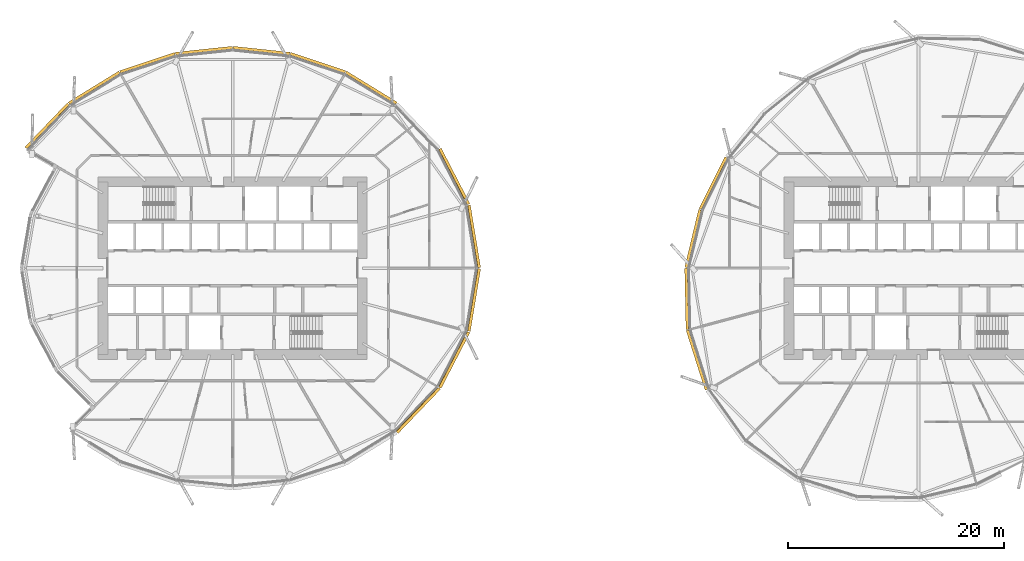
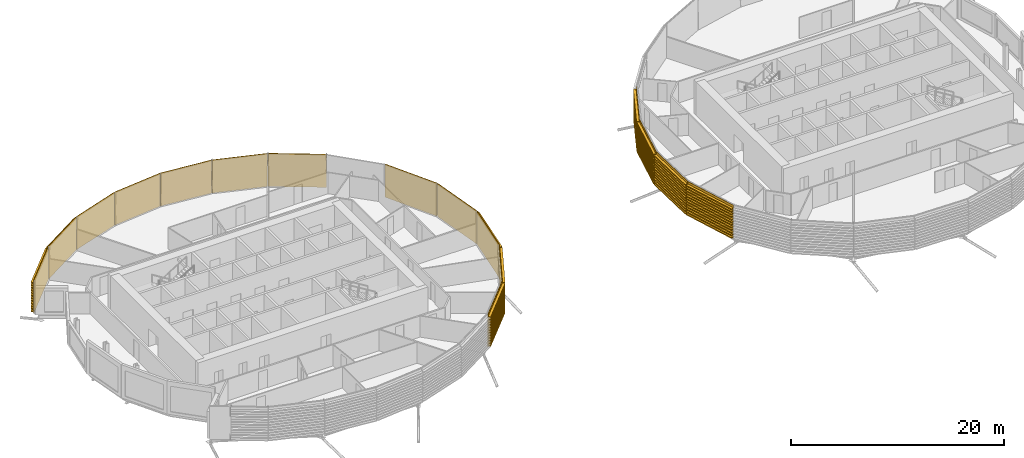
# One storey, part 35 of 38: 16 coverings.
"""IFC4 building model written with IfcOpenShell, lengths in metres."""

from ifc_helpers import new_model, si_unit, direction, frame, origin, place, context, subcontext, project, spatial, polyline, outline, extrude, material, material_profile, profile_set, type_object, element, save


model = new_model("IFC4")

# Units and contexts
model_context = context("Model", 3, precision=1e-05, world=origin(), true_north=direction((0.0, 1.0)))
body_context = subcontext(model_context, "Body", "Model", "MODEL_VIEW")
ifc_project = project(units=[si_unit("LENGTHUNIT", "METRE"), si_unit("AREAUNIT", "SQUARE_METRE"), si_unit("VOLUMEUNIT", "CUBIC_METRE"), si_unit("PLANEANGLEUNIT", "RADIAN"), si_unit("MASSUNIT", "GRAM", prefix="KILO")], contexts=[model_context])

# Site, building, storey
site_placement = place(None, origin())
site = spatial("IfcSite", under=ifc_project, at=site_placement, CompositionType="ELEMENT")
building_placement = place(site_placement, origin())
building = spatial("IfcBuilding", under=site, at=building_placement, Name="Rimbun Link Towers", CompositionType="ELEMENT")
storey_placement = place(building_placement, frame((0.0, 0.0, 49.0)))
storey = spatial("IfcBuildingStorey", under=building, at=storey_placement, Name="L11", CompositionType="ELEMENT", Elevation=49.0)

# Coverings
ifc_material = material(Name="Terracotta", Category="masonry")
ifc_material_profile = material_profile(ifc_material, outline(polyline([(0.123046875, 0.0), (0.1630859375, 0.0), (0.1630859375, 0.10009765625), (0.423095703125, 0.10009765625), (0.423095703125, 0.219970703125), (0.1630859375, 0.219970703125), (0.1630859375, 0.39990234375), (0.423095703125, 0.39990234375), (0.423095703125, 0.52001953125), (0.1630859375, 0.52001953125), (0.1630859375, 0.699951171875), (0.423095703125, 0.699951171875), (0.423095703125, 0.820068359375), (0.1630859375, 0.820068359375), (0.1630859375, 1.0), (0.423095703125, 1.0), (0.423095703125, 1.1201171875), (0.1630859375, 1.1201171875), (0.1630859375, 1.300048828125), (0.423095703125, 1.300048828125), (0.423095703125, 1.419921875), (0.1630859375, 1.419921875), (0.1630859375, 1.60009765625), (0.423095703125, 1.60009765625), (0.423095703125, 1.719970703125), (0.1630859375, 1.719970703125), (0.1630859375, 1.89990234375), (0.423095703125, 1.89990234375), (0.423095703125, 2.02001953125), (0.1630859375, 2.02001953125), (0.1630859375, 2.199951171875), (0.423095703125, 2.199951171875), (0.423095703125, 2.320068359375), (0.1630859375, 2.320068359375), (0.1630859375, 2.5), (0.423095703125, 2.5), (0.423095703125, 2.6201171875), (0.1630859375, 2.6201171875), (0.1630859375, 2.800048828125), (0.423095703125, 2.800048828125), (0.423095703125, 2.919921875), (0.1630859375, 2.919921875), (0.1630859375, 3.10009765625), (0.423095703125, 3.10009765625), (0.423095703125, 3.219970703125), (0.1630859375, 3.219970703125), (0.1630859375, 3.39990234375), (0.423095703125, 3.39990234375), (0.423095703125, 3.52001953125), (0.1630859375, 3.52001953125), (0.1630859375, 3.800048828125), (0.123046875, 3.800048828125), (0.123046875, 0.0)])), Name="BAGUETTE 120X300")
ifc_profile_set = profile_set([ifc_material_profile], Name="Terracotta")
covering_type = type_object("IfcCoveringType", Name="TERRACOTTA BAGUETTE 120X300 H3800", PredefinedType="CLADDING", material=ifc_profile_set)
covering_1_placement = place(storey_placement, frame((-10.159423828125, 5.78515625, 0.0), z_axis=(0.162237704364, -0.986751704981, 0.0), x_axis=(0.986751704981, 0.162237704364, 0.0)))
element("IfcCovering", 1, at=covering_1_placement, inside=storey, type_object=covering_type, Name="TERRACOTTA BAGUETTE", PredefinedType="CLADDING", context=body_context, shape_type="SweptSolid", body=[
    extrude(outline(polyline([(0.123046875, 0.0), (0.1630859375, 0.0), (0.1630859375, 0.10009765625), (0.423095703125, 0.10009765625), (0.423095703125, 0.219970703125), (0.1630859375, 0.219970703125), (0.1630859375, 0.39990234375), (0.423095703125, 0.39990234375), (0.423095703125, 0.52001953125), (0.1630859375, 0.52001953125), (0.1630859375, 0.699951171875), (0.423095703125, 0.699951171875), (0.423095703125, 0.820068359375), (0.1630859375, 0.820068359375), (0.1630859375, 1.0), (0.423095703125, 1.0), (0.423095703125, 1.1201171875), (0.1630859375, 1.1201171875), (0.1630859375, 1.300048828125), (0.423095703125, 1.300048828125), (0.423095703125, 1.419921875), (0.1630859375, 1.419921875), (0.1630859375, 1.60009765625), (0.423095703125, 1.60009765625), (0.423095703125, 1.719970703125), (0.1630859375, 1.719970703125), (0.1630859375, 1.89990234375), (0.423095703125, 1.89990234375), (0.423095703125, 2.02001953125), (0.1630859375, 2.02001953125), (0.1630859375, 2.199951171875), (0.423095703125, 2.199951171875), (0.423095703125, 2.320068359375), (0.1630859375, 2.320068359375), (0.1630859375, 2.5), (0.423095703125, 2.5), (0.423095703125, 2.6201171875), (0.1630859375, 2.6201171875), (0.1630859375, 2.800048828125), (0.423095703125, 2.800048828125), (0.423095703125, 2.919921875), (0.1630859375, 2.919921875), (0.1630859375, 3.10009765625), (0.423095703125, 3.10009765625), (0.423095703125, 3.219970703125), (0.1630859375, 3.219970703125), (0.1630859375, 3.39990234375), (0.423095703125, 3.39990234375), (0.423095703125, 3.52001953125), (0.1630859375, 3.52001953125), (0.1630859375, 3.800048828125), (0.123046875, 3.800048828125), (0.123046875, 0.0)])), origin(), (0.0, 0.0, 1.0), 5.86279296875),
])
covering_2_placement = place(storey_placement, frame((-12.82080078125, 10.9287109375, 0.0), z_axis=(0.459547920582, -0.88815297595, 0.0), x_axis=(0.88815297595, 0.459547920582, 0.0)))
element("IfcCovering", 2, at=covering_2_placement, inside=storey, type_object=covering_type, Name="TERRACOTTA BAGUETTE", PredefinedType="CLADDING", context=body_context, shape_type="SweptSolid", body=[
    extrude(outline(polyline([(0.123046875, 0.0), (0.1630859375, 0.0), (0.1630859375, 0.10009765625), (0.423095703125, 0.10009765625), (0.423095703125, 0.219970703125), (0.1630859375, 0.219970703125), (0.1630859375, 0.39990234375), (0.423095703125, 0.39990234375), (0.423095703125, 0.52001953125), (0.1630859375, 0.52001953125), (0.1630859375, 0.699951171875), (0.423095703125, 0.699951171875), (0.423095703125, 0.820068359375), (0.1630859375, 0.820068359375), (0.1630859375, 1.0), (0.423095703125, 1.0), (0.423095703125, 1.1201171875), (0.1630859375, 1.1201171875), (0.1630859375, 1.300048828125), (0.423095703125, 1.300048828125), (0.423095703125, 1.419921875), (0.1630859375, 1.419921875), (0.1630859375, 1.60009765625), (0.423095703125, 1.60009765625), (0.423095703125, 1.719970703125), (0.1630859375, 1.719970703125), (0.1630859375, 1.89990234375), (0.423095703125, 1.89990234375), (0.423095703125, 2.02001953125), (0.1630859375, 2.02001953125), (0.1630859375, 2.199951171875), (0.423095703125, 2.199951171875), (0.423095703125, 2.320068359375), (0.1630859375, 2.320068359375), (0.1630859375, 2.5), (0.423095703125, 2.5), (0.423095703125, 2.6201171875), (0.1630859375, 2.6201171875), (0.1630859375, 2.800048828125), (0.423095703125, 2.800048828125), (0.423095703125, 2.919921875), (0.1630859375, 2.919921875), (0.1630859375, 3.10009765625), (0.423095703125, 3.10009765625), (0.423095703125, 3.219970703125), (0.1630859375, 3.219970703125), (0.1630859375, 3.39990234375), (0.423095703125, 3.39990234375), (0.423095703125, 3.52001953125), (0.1630859375, 3.52001953125), (0.1630859375, 3.800048828125), (0.123046875, 3.800048828125), (0.123046875, 0.0)])), origin(), (0.0, 0.0, 1.0), 5.791259765625),
])
covering_3_placement = place(storey_placement, frame((-21.42138671875, 17.8896484375, 0.0), z_axis=(0.852173310307, -0.523259638422, 0.0), x_axis=(0.523259638422, 0.852173310307, 0.0)))
element("IfcCovering", 3, at=covering_3_placement, inside=storey, type_object=covering_type, Name="TERRACOTTA BAGUETTE", PredefinedType="CLADDING", context=body_context, shape_type="SweptSolid", body=[
    extrude(outline(polyline([(0.123046875, 0.0), (0.1630859375, 0.0), (0.1630859375, 0.10009765625), (0.423095703125, 0.10009765625), (0.423095703125, 0.219970703125), (0.1630859375, 0.219970703125), (0.1630859375, 0.39990234375), (0.423095703125, 0.39990234375), (0.423095703125, 0.52001953125), (0.1630859375, 0.52001953125), (0.1630859375, 0.699951171875), (0.423095703125, 0.699951171875), (0.423095703125, 0.820068359375), (0.1630859375, 0.820068359375), (0.1630859375, 1.0), (0.423095703125, 1.0), (0.423095703125, 1.1201171875), (0.1630859375, 1.1201171875), (0.1630859375, 1.300048828125), (0.423095703125, 1.300048828125), (0.423095703125, 1.419921875), (0.1630859375, 1.419921875), (0.1630859375, 1.60009765625), (0.423095703125, 1.60009765625), (0.423095703125, 1.719970703125), (0.1630859375, 1.719970703125), (0.1630859375, 1.89990234375), (0.423095703125, 1.89990234375), (0.423095703125, 2.02001953125), (0.1630859375, 2.02001953125), (0.1630859375, 2.199951171875), (0.423095703125, 2.199951171875), (0.423095703125, 2.320068359375), (0.1630859375, 2.320068359375), (0.1630859375, 2.5), (0.423095703125, 2.5), (0.423095703125, 2.6201171875), (0.1630859375, 2.6201171875), (0.1630859375, 2.800048828125), (0.423095703125, 2.800048828125), (0.423095703125, 2.919921875), (0.1630859375, 2.919921875), (0.1630859375, 3.10009765625), (0.423095703125, 3.10009765625), (0.423095703125, 3.219970703125), (0.1630859375, 3.219970703125), (0.1630859375, 3.39990234375), (0.423095703125, 3.39990234375), (0.423095703125, 3.52001953125), (0.1630859375, 3.52001953125), (0.1630859375, 3.800048828125), (0.123046875, 3.800048828125), (0.123046875, 0.0)])), origin(), (0.0, 0.0, 1.0), 5.497314453125),
])
covering_4_placement = place(storey_placement, frame((-26.505126953125, 19.57421875, 0.0), z_axis=(0.94924251763, -0.314545136227, 0.0), x_axis=(0.314545136227, 0.94924251763, 0.0)))
element("IfcCovering", 4, at=covering_4_placement, inside=storey, type_object=covering_type, Name="TERRACOTTA BAGUETTE", PredefinedType="CLADDING", context=body_context, shape_type="SweptSolid", body=[
    extrude(outline(polyline([(0.123046875, 0.0), (0.1630859375, 0.0), (0.1630859375, 0.10009765625), (0.423095703125, 0.10009765625), (0.423095703125, 0.219970703125), (0.1630859375, 0.219970703125), (0.1630859375, 0.39990234375), (0.423095703125, 0.39990234375), (0.423095703125, 0.52001953125), (0.1630859375, 0.52001953125), (0.1630859375, 0.699951171875), (0.423095703125, 0.699951171875), (0.423095703125, 0.820068359375), (0.1630859375, 0.820068359375), (0.1630859375, 1.0), (0.423095703125, 1.0), (0.423095703125, 1.1201171875), (0.1630859375, 1.1201171875), (0.1630859375, 1.300048828125), (0.423095703125, 1.300048828125), (0.423095703125, 1.419921875), (0.1630859375, 1.419921875), (0.1630859375, 1.60009765625), (0.423095703125, 1.60009765625), (0.423095703125, 1.719970703125), (0.1630859375, 1.719970703125), (0.1630859375, 1.89990234375), (0.423095703125, 1.89990234375), (0.423095703125, 2.02001953125), (0.1630859375, 2.02001953125), (0.1630859375, 2.199951171875), (0.423095703125, 2.199951171875), (0.423095703125, 2.320068359375), (0.1630859375, 2.320068359375), (0.1630859375, 2.5), (0.423095703125, 2.5), (0.423095703125, 2.6201171875), (0.1630859375, 2.6201171875), (0.1630859375, 2.800048828125), (0.423095703125, 2.800048828125), (0.423095703125, 2.919921875), (0.1630859375, 2.919921875), (0.1630859375, 3.10009765625), (0.423095703125, 3.10009765625), (0.423095703125, 3.219970703125), (0.1630859375, 3.219970703125), (0.1630859375, 3.39990234375), (0.423095703125, 3.39990234375), (0.423095703125, 3.52001953125), (0.1630859375, 3.52001953125), (0.1630859375, 3.800048828125), (0.123046875, 3.800048828125), (0.123046875, 0.0)])), origin(), (0.0, 0.0, 1.0), 5.35546875),
])
for number, where, z_axis, x_axis, name in (
    (5, (-31.75, 20.126708984375, 0.0), (0.994497586765, -0.104759486052, 0.0), (0.104759486052, 0.994497586765, 0.0), "TERRACOTTA BAGUETTE"),
    (6, (-36.994873046875, 19.57421875, 0.0), (0.994497586765, 0.104759486052, 0.0), (-0.104759486052, 0.994497586765, 0.0), "TERRACOTTA BAGUETTE"),
):
    element("IfcCovering", number, at=place(storey_placement, frame(where, z_axis=z_axis, x_axis=x_axis)), inside=storey, type_object=covering_type, Name=name, PredefinedType="CLADDING", context=body_context, shape_type="SweptSolid", body=[
        extrude(outline(polyline([(0.123046875, 0.0), (0.1630859375, 0.0), (0.1630859375, 0.10009765625), (0.423095703125, 0.10009765625), (0.423095703125, 0.219970703125), (0.1630859375, 0.219970703125), (0.1630859375, 0.39990234375), (0.423095703125, 0.39990234375), (0.423095703125, 0.52001953125), (0.1630859375, 0.52001953125), (0.1630859375, 0.699951171875), (0.423095703125, 0.699951171875), (0.423095703125, 0.820068359375), (0.1630859375, 0.820068359375), (0.1630859375, 1.0), (0.423095703125, 1.0), (0.423095703125, 1.1201171875), (0.1630859375, 1.1201171875), (0.1630859375, 1.300048828125), (0.423095703125, 1.300048828125), (0.423095703125, 1.419921875), (0.1630859375, 1.419921875), (0.1630859375, 1.60009765625), (0.423095703125, 1.60009765625), (0.423095703125, 1.719970703125), (0.1630859375, 1.719970703125), (0.1630859375, 1.89990234375), (0.423095703125, 1.89990234375), (0.423095703125, 2.02001953125), (0.1630859375, 2.02001953125), (0.1630859375, 2.199951171875), (0.423095703125, 2.199951171875), (0.423095703125, 2.320068359375), (0.1630859375, 2.320068359375), (0.1630859375, 2.5), (0.423095703125, 2.5), (0.423095703125, 2.6201171875), (0.1630859375, 2.6201171875), (0.1630859375, 2.800048828125), (0.423095703125, 2.800048828125), (0.423095703125, 2.919921875), (0.1630859375, 2.919921875), (0.1630859375, 3.10009765625), (0.423095703125, 3.10009765625), (0.423095703125, 3.219970703125), (0.1630859375, 3.219970703125), (0.1630859375, 3.39990234375), (0.423095703125, 3.39990234375), (0.423095703125, 3.52001953125), (0.1630859375, 3.52001953125), (0.1630859375, 3.800048828125), (0.123046875, 3.800048828125), (0.123046875, 0.0)])), origin(), (0.0, 0.0, 1.0), 5.27392578125),
    ])
covering_5_placement = place(storey_placement, frame((-42.07861328125, 17.8896484375, 0.0), z_axis=(0.94924251763, 0.314545136227, 0.0), x_axis=(-0.314545136227, 0.94924251763, 0.0)))
element("IfcCovering", 7, at=covering_5_placement, inside=storey, type_object=covering_type, Name="TERRACOTTA BAGUETTE", PredefinedType="CLADDING", context=body_context, shape_type="SweptSolid", body=[
    extrude(outline(polyline([(0.123046875, 0.0), (0.1630859375, 0.0), (0.1630859375, 0.10009765625), (0.423095703125, 0.10009765625), (0.423095703125, 0.219970703125), (0.1630859375, 0.219970703125), (0.1630859375, 0.39990234375), (0.423095703125, 0.39990234375), (0.423095703125, 0.52001953125), (0.1630859375, 0.52001953125), (0.1630859375, 0.699951171875), (0.423095703125, 0.699951171875), (0.423095703125, 0.820068359375), (0.1630859375, 0.820068359375), (0.1630859375, 1.0), (0.423095703125, 1.0), (0.423095703125, 1.1201171875), (0.1630859375, 1.1201171875), (0.1630859375, 1.300048828125), (0.423095703125, 1.300048828125), (0.423095703125, 1.419921875), (0.1630859375, 1.419921875), (0.1630859375, 1.60009765625), (0.423095703125, 1.60009765625), (0.423095703125, 1.719970703125), (0.1630859375, 1.719970703125), (0.1630859375, 1.89990234375), (0.423095703125, 1.89990234375), (0.423095703125, 2.02001953125), (0.1630859375, 2.02001953125), (0.1630859375, 2.199951171875), (0.423095703125, 2.199951171875), (0.423095703125, 2.320068359375), (0.1630859375, 2.320068359375), (0.1630859375, 2.5), (0.423095703125, 2.5), (0.423095703125, 2.6201171875), (0.1630859375, 2.6201171875), (0.1630859375, 2.800048828125), (0.423095703125, 2.800048828125), (0.423095703125, 2.919921875), (0.1630859375, 2.919921875), (0.1630859375, 3.10009765625), (0.423095703125, 3.10009765625), (0.423095703125, 3.219970703125), (0.1630859375, 3.219970703125), (0.1630859375, 3.39990234375), (0.423095703125, 3.39990234375), (0.423095703125, 3.52001953125), (0.1630859375, 3.52001953125), (0.1630859375, 3.800048828125), (0.123046875, 3.800048828125), (0.123046875, 0.0)])), origin(), (0.0, 0.0, 1.0), 5.35546875),
])
covering_6_placement = place(storey_placement, frame((-46.76318359375, 15.01318359375, 0.0), z_axis=(0.852173310307, 0.523259638422, 0.0), x_axis=(-0.523259638422, 0.852173310307, 0.0)))
element("IfcCovering", 8, at=covering_6_placement, inside=storey, type_object=covering_type, Name="TERRACOTTA BAGUETTE", PredefinedType="CLADDING", context=body_context, shape_type="SweptSolid", body=[
    extrude(outline(polyline([(0.123046875, 0.0), (0.1630859375, 0.0), (0.1630859375, 0.10009765625), (0.423095703125, 0.10009765625), (0.423095703125, 0.219970703125), (0.1630859375, 0.219970703125), (0.1630859375, 0.39990234375), (0.423095703125, 0.39990234375), (0.423095703125, 0.52001953125), (0.1630859375, 0.52001953125), (0.1630859375, 0.699951171875), (0.423095703125, 0.699951171875), (0.423095703125, 0.820068359375), (0.1630859375, 0.820068359375), (0.1630859375, 1.0), (0.423095703125, 1.0), (0.423095703125, 1.1201171875), (0.1630859375, 1.1201171875), (0.1630859375, 1.300048828125), (0.423095703125, 1.300048828125), (0.423095703125, 1.419921875), (0.1630859375, 1.419921875), (0.1630859375, 1.60009765625), (0.423095703125, 1.60009765625), (0.423095703125, 1.719970703125), (0.1630859375, 1.719970703125), (0.1630859375, 1.89990234375), (0.423095703125, 1.89990234375), (0.423095703125, 2.02001953125), (0.1630859375, 2.02001953125), (0.1630859375, 2.199951171875), (0.423095703125, 2.199951171875), (0.423095703125, 2.320068359375), (0.1630859375, 2.320068359375), (0.1630859375, 2.5), (0.423095703125, 2.5), (0.423095703125, 2.6201171875), (0.1630859375, 2.6201171875), (0.1630859375, 2.800048828125), (0.423095703125, 2.800048828125), (0.423095703125, 2.919921875), (0.1630859375, 2.919921875), (0.1630859375, 3.10009765625), (0.423095703125, 3.10009765625), (0.423095703125, 3.219970703125), (0.1630859375, 3.219970703125), (0.1630859375, 3.39990234375), (0.423095703125, 3.39990234375), (0.423095703125, 3.52001953125), (0.1630859375, 3.52001953125), (0.1630859375, 3.800048828125), (0.123046875, 3.800048828125), (0.123046875, 0.0)])), origin(), (0.0, 0.0, 1.0), 5.497314453125),
])
for number, where, z_axis, x_axis, name in (
    (9, (-50.67919921875, 10.9287109375, 0.0), (0.692064655348, 0.721835516457, 0.0), (-0.721835516457, 0.692064655348, 0.0), "TERRACOTTA BAGUETTE"),
    (10, (-12.82080078125, -10.9287109375, 0.0), (-0.692064655348, -0.721835516457, 0.0), (0.721835516457, -0.692064655348, 0.0), "TERRACOTTA BAGUETTE"),
):
    element("IfcCovering", number, at=place(storey_placement, frame(where, z_axis=z_axis, x_axis=x_axis)), inside=storey, type_object=covering_type, Name=name, PredefinedType="CLADDING", context=body_context, shape_type="SweptSolid", body=[
        extrude(outline(polyline([(0.123046875, 0.0), (0.1630859375, 0.0), (0.1630859375, 0.10009765625), (0.423095703125, 0.10009765625), (0.423095703125, 0.219970703125), (0.1630859375, 0.219970703125), (0.1630859375, 0.39990234375), (0.423095703125, 0.39990234375), (0.423095703125, 0.52001953125), (0.1630859375, 0.52001953125), (0.1630859375, 0.699951171875), (0.423095703125, 0.699951171875), (0.423095703125, 0.820068359375), (0.1630859375, 0.820068359375), (0.1630859375, 1.0), (0.423095703125, 1.0), (0.423095703125, 1.1201171875), (0.1630859375, 1.1201171875), (0.1630859375, 1.300048828125), (0.423095703125, 1.300048828125), (0.423095703125, 1.419921875), (0.1630859375, 1.419921875), (0.1630859375, 1.60009765625), (0.423095703125, 1.60009765625), (0.423095703125, 1.719970703125), (0.1630859375, 1.719970703125), (0.1630859375, 1.89990234375), (0.423095703125, 1.89990234375), (0.423095703125, 2.02001953125), (0.1630859375, 2.02001953125), (0.1630859375, 2.199951171875), (0.423095703125, 2.199951171875), (0.423095703125, 2.320068359375), (0.1630859375, 2.320068359375), (0.1630859375, 2.5), (0.423095703125, 2.5), (0.423095703125, 2.6201171875), (0.1630859375, 2.6201171875), (0.1630859375, 2.800048828125), (0.423095703125, 2.800048828125), (0.423095703125, 2.919921875), (0.1630859375, 2.919921875), (0.1630859375, 3.10009765625), (0.423095703125, 3.10009765625), (0.423095703125, 3.219970703125), (0.1630859375, 3.219970703125), (0.1630859375, 3.39990234375), (0.423095703125, 3.39990234375), (0.423095703125, 3.52001953125), (0.1630859375, 3.52001953125), (0.1630859375, 3.800048828125), (0.123046875, 3.800048828125), (0.123046875, 0.0)])), origin(), (0.0, 0.0, 1.0), 5.658447265625),
    ])
covering_7_placement = place(storey_placement, frame((-10.159423828125, -5.78515625, 0.0), z_axis=(-0.459547920582, -0.88815297595, 0.0), x_axis=(0.88815297595, -0.459547920582, 0.0)))
element("IfcCovering", 11, at=covering_7_placement, inside=storey, type_object=covering_type, Name="TERRACOTTA BAGUETTE", PredefinedType="CLADDING", context=body_context, shape_type="SweptSolid", body=[
    extrude(outline(polyline([(0.123046875, 0.0), (0.1630859375, 0.0), (0.1630859375, 0.10009765625), (0.423095703125, 0.10009765625), (0.423095703125, 0.219970703125), (0.1630859375, 0.219970703125), (0.1630859375, 0.39990234375), (0.423095703125, 0.39990234375), (0.423095703125, 0.52001953125), (0.1630859375, 0.52001953125), (0.1630859375, 0.699951171875), (0.423095703125, 0.699951171875), (0.423095703125, 0.820068359375), (0.1630859375, 0.820068359375), (0.1630859375, 1.0), (0.423095703125, 1.0), (0.423095703125, 1.1201171875), (0.1630859375, 1.1201171875), (0.1630859375, 1.300048828125), (0.423095703125, 1.300048828125), (0.423095703125, 1.419921875), (0.1630859375, 1.419921875), (0.1630859375, 1.60009765625), (0.423095703125, 1.60009765625), (0.423095703125, 1.719970703125), (0.1630859375, 1.719970703125), (0.1630859375, 1.89990234375), (0.423095703125, 1.89990234375), (0.423095703125, 2.02001953125), (0.1630859375, 2.02001953125), (0.1630859375, 2.199951171875), (0.423095703125, 2.199951171875), (0.423095703125, 2.320068359375), (0.1630859375, 2.320068359375), (0.1630859375, 2.5), (0.423095703125, 2.5), (0.423095703125, 2.6201171875), (0.1630859375, 2.6201171875), (0.1630859375, 2.800048828125), (0.423095703125, 2.800048828125), (0.423095703125, 2.919921875), (0.1630859375, 2.919921875), (0.1630859375, 3.10009765625), (0.423095703125, 3.10009765625), (0.423095703125, 3.219970703125), (0.1630859375, 3.219970703125), (0.1630859375, 3.39990234375), (0.423095703125, 3.39990234375), (0.423095703125, 3.52001953125), (0.1630859375, 3.52001953125), (0.1630859375, 3.800048828125), (0.123046875, 3.800048828125), (0.123046875, 0.0)])), origin(), (0.0, 0.0, 1.0), 5.791259765625),
])
covering_8_placement = place(storey_placement, frame((-9.208251953125, 0.0, 0.0), z_axis=(-0.162237704364, -0.986751704981, 0.0), x_axis=(0.986751704981, -0.162237704364, 0.0)))
element("IfcCovering", 12, at=covering_8_placement, inside=storey, type_object=covering_type, Name="TERRACOTTA BAGUETTE", PredefinedType="CLADDING", context=body_context, shape_type="SweptSolid", body=[
    extrude(outline(polyline([(0.123046875, 0.0), (0.1630859375, 0.0), (0.1630859375, 0.10009765625), (0.423095703125, 0.10009765625), (0.423095703125, 0.219970703125), (0.1630859375, 0.219970703125), (0.1630859375, 0.39990234375), (0.423095703125, 0.39990234375), (0.423095703125, 0.52001953125), (0.1630859375, 0.52001953125), (0.1630859375, 0.699951171875), (0.423095703125, 0.699951171875), (0.423095703125, 0.820068359375), (0.1630859375, 0.820068359375), (0.1630859375, 1.0), (0.423095703125, 1.0), (0.423095703125, 1.1201171875), (0.1630859375, 1.1201171875), (0.1630859375, 1.300048828125), (0.423095703125, 1.300048828125), (0.423095703125, 1.419921875), (0.1630859375, 1.419921875), (0.1630859375, 1.60009765625), (0.423095703125, 1.60009765625), (0.423095703125, 1.719970703125), (0.1630859375, 1.719970703125), (0.1630859375, 1.89990234375), (0.423095703125, 1.89990234375), (0.423095703125, 2.02001953125), (0.1630859375, 2.02001953125), (0.1630859375, 2.199951171875), (0.423095703125, 2.199951171875), (0.423095703125, 2.320068359375), (0.1630859375, 2.320068359375), (0.1630859375, 2.5), (0.423095703125, 2.5), (0.423095703125, 2.6201171875), (0.1630859375, 2.6201171875), (0.1630859375, 2.800048828125), (0.423095703125, 2.800048828125), (0.423095703125, 2.919921875), (0.1630859375, 2.919921875), (0.1630859375, 3.10009765625), (0.423095703125, 3.10009765625), (0.423095703125, 3.219970703125), (0.1630859375, 3.219970703125), (0.1630859375, 3.39990234375), (0.423095703125, 3.39990234375), (0.423095703125, 3.52001953125), (0.1630859375, 3.52001953125), (0.1630859375, 3.800048828125), (0.123046875, 3.800048828125), (0.123046875, 0.0)])), origin(), (0.0, 0.0, 1.0), 5.86279296875),
])
covering_9_placement = place(storey_placement, frame((11.796875, 5.346435546875, 0.0), z_axis=(0.44876289744, 0.893650861288, 0.0), x_axis=(-0.893650861288, 0.44876289744, 0.0)))
element("IfcCovering", 13, at=covering_9_placement, inside=storey, type_object=covering_type, Name="TERRACOTTA BAGUETTE", PredefinedType="CLADDING", context=body_context, shape_type="SweptSolid", body=[
    extrude(outline(polyline([(0.123046875, 0.0), (0.1630859375, 0.0), (0.1630859375, 0.10009765625), (0.423095703125, 0.10009765625), (0.423095703125, 0.219970703125), (0.1630859375, 0.219970703125), (0.1630859375, 0.39990234375), (0.423095703125, 0.39990234375), (0.423095703125, 0.52001953125), (0.1630859375, 0.52001953125), (0.1630859375, 0.699951171875), (0.423095703125, 0.699951171875), (0.423095703125, 0.820068359375), (0.1630859375, 0.820068359375), (0.1630859375, 1.0), (0.423095703125, 1.0), (0.423095703125, 1.1201171875), (0.1630859375, 1.1201171875), (0.1630859375, 1.300048828125), (0.423095703125, 1.300048828125), (0.423095703125, 1.419921875), (0.1630859375, 1.419921875), (0.1630859375, 1.60009765625), (0.423095703125, 1.60009765625), (0.423095703125, 1.719970703125), (0.1630859375, 1.719970703125), (0.1630859375, 1.89990234375), (0.423095703125, 1.89990234375), (0.423095703125, 2.02001953125), (0.1630859375, 2.02001953125), (0.1630859375, 2.199951171875), (0.423095703125, 2.199951171875), (0.423095703125, 2.320068359375), (0.1630859375, 2.320068359375), (0.1630859375, 2.5), (0.423095703125, 2.5), (0.423095703125, 2.6201171875), (0.1630859375, 2.6201171875), (0.1630859375, 2.800048828125), (0.423095703125, 2.800048828125), (0.423095703125, 2.919921875), (0.1630859375, 2.919921875), (0.1630859375, 3.10009765625), (0.423095703125, 3.10009765625), (0.423095703125, 3.219970703125), (0.1630859375, 3.219970703125), (0.1630859375, 3.39990234375), (0.423095703125, 3.39990234375), (0.423095703125, 3.52001953125), (0.1630859375, 3.52001953125), (0.1630859375, 3.800048828125), (0.123046875, 3.800048828125), (0.123046875, 0.0)])), origin(), (0.0, 0.0, 1.0), 5.35546875),
])
covering_10_placement = place(storey_placement, frame((10.51806640625, 0.0, 0.0), z_axis=(0.232627094239, 0.972566005486, 0.0), x_axis=(-0.972566005486, 0.232627094239, 0.0)))
element("IfcCovering", 14, at=covering_10_placement, inside=storey, type_object=covering_type, Name="TERRACOTTA BAGUETTE", PredefinedType="CLADDING", context=body_context, shape_type="SweptSolid", body=[
    extrude(outline(polyline([(0.123046875, 0.0), (0.1630859375, 0.0), (0.1630859375, 0.10009765625), (0.423095703125, 0.10009765625), (0.423095703125, 0.219970703125), (0.1630859375, 0.219970703125), (0.1630859375, 0.39990234375), (0.423095703125, 0.39990234375), (0.423095703125, 0.52001953125), (0.1630859375, 0.52001953125), (0.1630859375, 0.699951171875), (0.423095703125, 0.699951171875), (0.423095703125, 0.820068359375), (0.1630859375, 0.820068359375), (0.1630859375, 1.0), (0.423095703125, 1.0), (0.423095703125, 1.1201171875), (0.1630859375, 1.1201171875), (0.1630859375, 1.300048828125), (0.423095703125, 1.300048828125), (0.423095703125, 1.419921875), (0.1630859375, 1.419921875), (0.1630859375, 1.60009765625), (0.423095703125, 1.60009765625), (0.423095703125, 1.719970703125), (0.1630859375, 1.719970703125), (0.1630859375, 1.89990234375), (0.423095703125, 1.89990234375), (0.423095703125, 2.02001953125), (0.1630859375, 2.02001953125), (0.1630859375, 2.199951171875), (0.423095703125, 2.199951171875), (0.423095703125, 2.320068359375), (0.1630859375, 2.320068359375), (0.1630859375, 2.5), (0.423095703125, 2.5), (0.423095703125, 2.6201171875), (0.1630859375, 2.6201171875), (0.1630859375, 2.800048828125), (0.423095703125, 2.800048828125), (0.423095703125, 2.919921875), (0.1630859375, 2.919921875), (0.1630859375, 3.10009765625), (0.423095703125, 3.10009765625), (0.423095703125, 3.219970703125), (0.1630859375, 3.219970703125), (0.1630859375, 3.39990234375), (0.423095703125, 3.39990234375), (0.423095703125, 3.52001953125), (0.1630859375, 3.52001953125), (0.1630859375, 3.800048828125), (0.123046875, 3.800048828125), (0.123046875, 0.0)])), origin(), (0.0, 0.0, 1.0), 5.497314453125),
])
covering_11_placement = place(storey_placement, frame((10.63720703125, -5.656982421875, 0.0), z_axis=(-0.021056139481, 0.999778294919, 0.0), x_axis=(-0.999778294919, -0.021056139481, 0.0)))
element("IfcCovering", 15, at=covering_11_placement, inside=storey, type_object=covering_type, Name="TERRACOTTA BAGUETTE", PredefinedType="CLADDING", context=body_context, shape_type="SweptSolid", body=[
    extrude(outline(polyline([(0.123046875, 0.0), (0.1630859375, 0.0), (0.1630859375, 0.10009765625), (0.423095703125, 0.10009765625), (0.423095703125, 0.219970703125), (0.1630859375, 0.219970703125), (0.1630859375, 0.39990234375), (0.423095703125, 0.39990234375), (0.423095703125, 0.52001953125), (0.1630859375, 0.52001953125), (0.1630859375, 0.699951171875), (0.423095703125, 0.699951171875), (0.423095703125, 0.820068359375), (0.1630859375, 0.820068359375), (0.1630859375, 1.0), (0.423095703125, 1.0), (0.423095703125, 1.1201171875), (0.1630859375, 1.1201171875), (0.1630859375, 1.300048828125), (0.423095703125, 1.300048828125), (0.423095703125, 1.419921875), (0.1630859375, 1.419921875), (0.1630859375, 1.60009765625), (0.423095703125, 1.60009765625), (0.423095703125, 1.719970703125), (0.1630859375, 1.719970703125), (0.1630859375, 1.89990234375), (0.423095703125, 1.89990234375), (0.423095703125, 2.02001953125), (0.1630859375, 2.02001953125), (0.1630859375, 2.199951171875), (0.423095703125, 2.199951171875), (0.423095703125, 2.320068359375), (0.1630859375, 2.320068359375), (0.1630859375, 2.5), (0.423095703125, 2.5), (0.423095703125, 2.6201171875), (0.1630859375, 2.6201171875), (0.1630859375, 2.800048828125), (0.423095703125, 2.800048828125), (0.423095703125, 2.919921875), (0.1630859375, 2.919921875), (0.1630859375, 3.10009765625), (0.423095703125, 3.10009765625), (0.423095703125, 3.219970703125), (0.1630859375, 3.219970703125), (0.1630859375, 3.39990234375), (0.423095703125, 3.39990234375), (0.423095703125, 3.52001953125), (0.1630859375, 3.52001953125), (0.1630859375, 3.800048828125), (0.123046875, 3.800048828125), (0.123046875, 0.0)])), origin(), (0.0, 0.0, 1.0), 5.658203125),
])
covering_12_placement = place(storey_placement, frame((12.392578125, -11.176025390625, 0.0), z_axis=(-0.303095776025, 0.952960099141, 0.0), x_axis=(-0.952960099141, -0.303095776025, 0.0)))
element("IfcCovering", 16, at=covering_12_placement, inside=storey, type_object=covering_type, Name="TERRACOTTA BAGUETTE", PredefinedType="CLADDING", context=body_context, shape_type="SweptSolid", body=[
    extrude(outline(polyline([(0.123046875, 0.0), (0.1630859375, 0.0), (0.1630859375, 0.10009765625), (0.423095703125, 0.10009765625), (0.423095703125, 0.219970703125), (0.1630859375, 0.219970703125), (0.1630859375, 0.39990234375), (0.423095703125, 0.39990234375), (0.423095703125, 0.52001953125), (0.1630859375, 0.52001953125), (0.1630859375, 0.699951171875), (0.423095703125, 0.699951171875), (0.423095703125, 0.820068359375), (0.1630859375, 0.820068359375), (0.1630859375, 1.0), (0.423095703125, 1.0), (0.423095703125, 1.1201171875), (0.1630859375, 1.1201171875), (0.1630859375, 1.300048828125), (0.423095703125, 1.300048828125), (0.423095703125, 1.419921875), (0.1630859375, 1.419921875), (0.1630859375, 1.60009765625), (0.423095703125, 1.60009765625), (0.423095703125, 1.719970703125), (0.1630859375, 1.719970703125), (0.1630859375, 1.89990234375), (0.423095703125, 1.89990234375), (0.423095703125, 2.02001953125), (0.1630859375, 2.02001953125), (0.1630859375, 2.199951171875), (0.423095703125, 2.199951171875), (0.423095703125, 2.320068359375), (0.1630859375, 2.320068359375), (0.1630859375, 2.5), (0.423095703125, 2.5), (0.423095703125, 2.6201171875), (0.1630859375, 2.6201171875), (0.1630859375, 2.800048828125), (0.423095703125, 2.800048828125), (0.423095703125, 2.919921875), (0.1630859375, 2.919921875), (0.1630859375, 3.10009765625), (0.423095703125, 3.10009765625), (0.423095703125, 3.219970703125), (0.1630859375, 3.219970703125), (0.1630859375, 3.39990234375), (0.423095703125, 3.39990234375), (0.423095703125, 3.52001953125), (0.1630859375, 3.52001953125), (0.1630859375, 3.800048828125), (0.123046875, 3.800048828125), (0.123046875, 0.0)])), origin(), (0.0, 0.0, 1.0), 5.79150390625),
])

save(model, "model.ifc")
